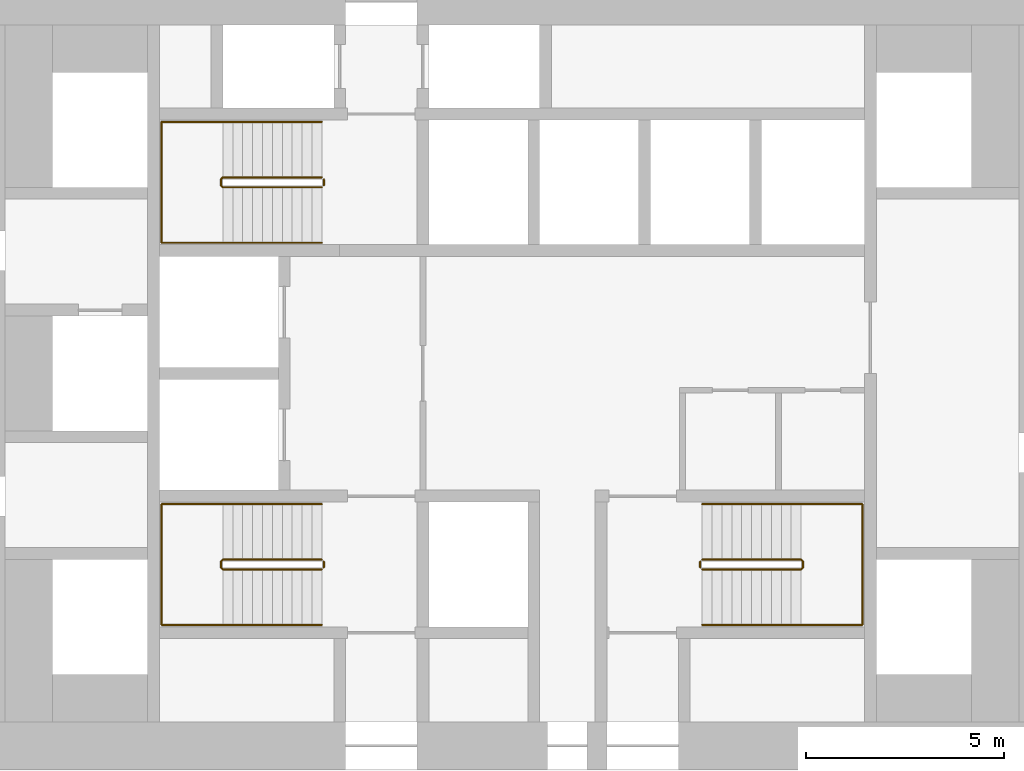
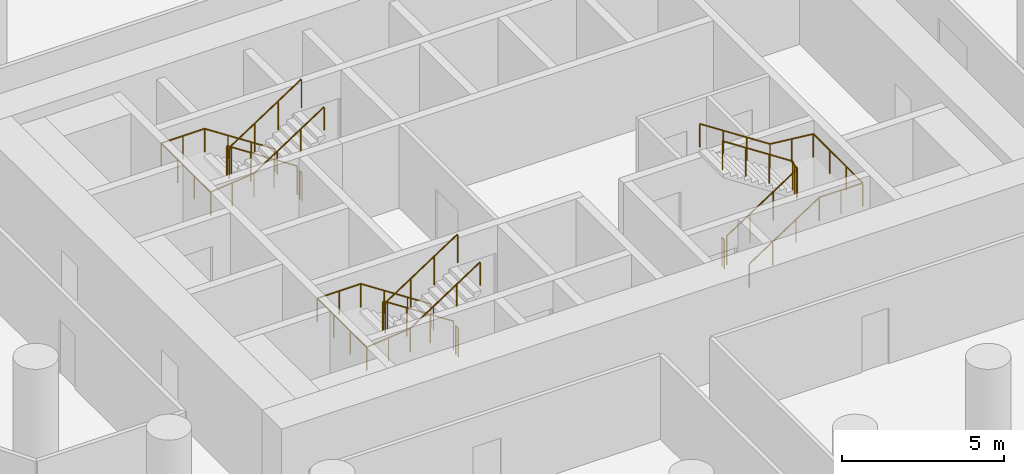
# One storey, part 11 of 11: 9 railings.
"""IFC4 building model written with IfcOpenShell, lengths in metres."""

from ifc_helpers import new_model, si_unit, direction, frame, origin, origin_2d, place, context, subcontext, project, spatial, circle, extrude, material, type_object, element, save


model = new_model("IFC4")

# Units and contexts
model_context = context("Model", 3, precision=1e-05, world=origin(), true_north=direction((0.0, 1.0)))
body_context = subcontext(model_context, "Body", "Model", "MODEL_VIEW")
ifc_project = project(units=[si_unit("LENGTHUNIT", "METRE"), si_unit("AREAUNIT", "SQUARE_METRE"), si_unit("VOLUMEUNIT", "CUBIC_METRE"), si_unit("PLANEANGLEUNIT", "RADIAN"), si_unit("MASSUNIT", "GRAM", prefix="KILO")], contexts=[model_context])

# Site, building, storey
site_placement = place(None, origin())
site = spatial("IfcSite", under=ifc_project, at=site_placement, CompositionType="ELEMENT")
building_placement = place(site_placement, origin())
building = spatial("IfcBuilding", under=site, at=building_placement, Name="Tracery Tower", CompositionType="ELEMENT")
storey_placement = place(building_placement, frame((0.0, 0.0, 96.60009765625)))
storey = spatial("IfcBuildingStorey", under=building, at=storey_placement, Name="L24", CompositionType="ELEMENT", Elevation=96.60009765625)

# Railings
ifc_material_1 = material(Name="Stainless steel and laminated glass", Category="steel")
railing_type_1 = type_object("IfcRailingType", Name="Stair guard 1100", PredefinedType="GUARDRAIL", material=ifc_material_1)
railing_1_placement = place(storey_placement, frame((-4.800048828125, -4.699951171875, 0.16357421875)))
element("IfcRailing", 1, at=railing_1_placement, inside=storey, type_object=railing_type_1, Name="L24 stair ST1 guard 1", PredefinedType="GUARDRAIL", context=body_context, shape_type="SweptSolid", body=[
    extrude(circle(Radius=0.02392578125, at=origin_2d()), frame((0.0, 0.0, 1.076171875), z_axis=(-0.836721939367, 0.0, 0.547627972425), x_axis=(0.0, -1.0, 0.0)), (0.0, 0.0, 1.0), 2.98779296875),
    extrude(circle(Radius=0.02392578125, at=origin_2d()), frame((-2.5, 0.0, 2.71240234375), z_axis=(-0.707106781187, -0.707106781187, 0.0), x_axis=(0.707106781187, -0.707106781187, 0.0)), (0.0, 0.0, 1.0), 0.07080078125),
    extrude(circle(Radius=0.02392578125, at=origin_2d()), frame((-2.550048828125, -0.050048828125, 2.71240234375), z_axis=(0.0, -1.0, 0.0), x_axis=(1.0, 0.0, 0.0)), (0.0, 0.0, 1.0), 0.14990234375),
    extrude(circle(Radius=0.02392578125, at=origin_2d()), frame((-2.550048828125, -0.199951171875, 2.71240234375), z_axis=(0.280456126637, -0.280456126637, 0.917980785237), x_axis=(0.707106781187, 0.707106781187, 0.0)), (0.0, 0.0, 1.0), 0.178466796875),
    extrude(circle(Radius=0.02392578125, at=origin_2d()), frame((-2.5, -0.25, 2.8759765625), z_axis=(0.836721939367, 0.0, 0.547627972425), x_axis=(0.0, 1.0, 0.0)), (0.0, 0.0, 1.0), 2.98779296875),
    extrude(circle(Radius=0.02099609375, at=origin_2d()), origin(), (0.0, 0.0, 1.0), 1.052001953125),
    extrude(circle(Radius=0.02099609375, at=origin_2d()), frame((-0.833251953125, 0.0, 0.54541015625)), (0.0, 0.0, 1.0), 1.052001953125),
    extrude(circle(Radius=0.02099609375, at=origin_2d()), frame((-1.666748046875, 0.0, 1.0908203125)), (0.0, 0.0, 1.0), 1.052001953125),
    extrude(circle(Radius=0.02099609375, at=origin_2d()), frame((-2.5, 0.0, 1.63623046875)), (0.0, 0.0, 1.0), 1.052001953125),
    extrude(circle(Radius=0.02099609375, at=origin_2d()), frame((-2.550048828125, -0.050048828125, 1.63623046875)), (0.0, 0.0, 1.0), 1.052001953125),
    extrude(circle(Radius=0.02099609375, at=origin_2d()), frame((-2.550048828125, -0.199951171875, 1.63623046875)), (0.0, 0.0, 1.0), 1.052001953125),
    extrude(circle(Radius=0.02099609375, at=origin_2d()), frame((-2.5, -0.25, 1.800048828125)), (0.0, 0.0, 1.0), 1.052001953125),
    extrude(circle(Radius=0.02099609375, at=origin_2d()), frame((-1.666748046875, -0.25, 2.345458984375)), (0.0, 0.0, 1.0), 1.052001953125),
    extrude(circle(Radius=0.02099609375, at=origin_2d()), frame((-0.833251953125, -0.25, 2.890869140625)), (0.0, 0.0, 1.0), 1.052001953125),
    extrude(circle(Radius=0.02099609375, at=origin_2d()), frame((0.0, -0.25, 3.436279296875)), (0.0, 0.0, 1.0), 1.052001953125),
])
railing_2_placement = place(storey_placement, frame((-4.75, -4.75, 0.0)))
element("IfcRailing", 2, at=railing_2_placement, inside=storey, type_object=railing_type_1, Name="L24 stair ST1 guard 2", PredefinedType="GUARDRAIL", context=body_context, shape_type="SweptSolid", body=[
    extrude(circle(Radius=0.02392578125, at=origin_2d()), frame((0.0, 0.0, 1.076171875), z_axis=(0.0, -1.0, 0.0), x_axis=(1.0, 0.0, 0.0)), (0.0, 0.0, 1.0), 0.14990234375),
    extrude(circle(Radius=0.02099609375, at=origin_2d()), origin(), (0.0, 0.0, 1.0), 1.052001953125),
    extrude(circle(Radius=0.02099609375, at=origin_2d()), frame((0.0, -0.14990234375, 0.0)), (0.0, 0.0, 1.0), 1.052001953125),
])
railing_3_placement = place(storey_placement, frame((-4.800048828125, 4.949951171875, 0.16357421875)))
element("IfcRailing", 3, at=railing_3_placement, inside=storey, type_object=railing_type_1, Name="L24 stair ST3 guard 1", PredefinedType="GUARDRAIL", context=body_context, shape_type="SweptSolid", body=[
    extrude(circle(Radius=0.02392578125, at=origin_2d()), frame((0.0, 0.0, 1.076171875), z_axis=(-0.836721939367, 0.0, 0.547627972425), x_axis=(0.0, -1.0, 0.0)), (0.0, 0.0, 1.0), 2.98779296875),
    extrude(circle(Radius=0.02392578125, at=origin_2d()), frame((-2.5, 0.0, 2.71240234375), z_axis=(-0.707106781187, -0.707106781187, 0.0), x_axis=(0.707106781187, -0.707106781187, 0.0)), (0.0, 0.0, 1.0), 0.07080078125),
    extrude(circle(Radius=0.02392578125, at=origin_2d()), frame((-2.550048828125, -0.050048828125, 2.71240234375), z_axis=(0.0, -1.0, 0.0), x_axis=(1.0, 0.0, 0.0)), (0.0, 0.0, 1.0), 0.14990234375),
    extrude(circle(Radius=0.02392578125, at=origin_2d()), frame((-2.550048828125, -0.199951171875, 2.71240234375), z_axis=(0.280456126637, -0.280456126637, 0.917980785237), x_axis=(0.707106781187, 0.707106781187, 0.0)), (0.0, 0.0, 1.0), 0.178466796875),
    extrude(circle(Radius=0.02392578125, at=origin_2d()), frame((-2.5, -0.25, 2.8759765625), z_axis=(0.836721939367, 0.0, 0.547627972425), x_axis=(0.0, 1.0, 0.0)), (0.0, 0.0, 1.0), 2.98779296875),
    extrude(circle(Radius=0.02099609375, at=origin_2d()), origin(), (0.0, 0.0, 1.0), 1.052001953125),
    extrude(circle(Radius=0.02099609375, at=origin_2d()), frame((-0.833251953125, 0.0, 0.54541015625)), (0.0, 0.0, 1.0), 1.052001953125),
    extrude(circle(Radius=0.02099609375, at=origin_2d()), frame((-1.666748046875, 0.0, 1.0908203125)), (0.0, 0.0, 1.0), 1.052001953125),
    extrude(circle(Radius=0.02099609375, at=origin_2d()), frame((-2.5, 0.0, 1.63623046875)), (0.0, 0.0, 1.0), 1.052001953125),
    extrude(circle(Radius=0.02099609375, at=origin_2d()), frame((-2.550048828125, -0.050048828125, 1.63623046875)), (0.0, 0.0, 1.0), 1.052001953125),
    extrude(circle(Radius=0.02099609375, at=origin_2d()), frame((-2.550048828125, -0.199951171875, 1.63623046875)), (0.0, 0.0, 1.0), 1.052001953125),
    extrude(circle(Radius=0.02099609375, at=origin_2d()), frame((-2.5, -0.25, 1.800048828125)), (0.0, 0.0, 1.0), 1.052001953125),
    extrude(circle(Radius=0.02099609375, at=origin_2d()), frame((-1.666748046875, -0.25, 2.345458984375)), (0.0, 0.0, 1.0), 1.052001953125),
    extrude(circle(Radius=0.02099609375, at=origin_2d()), frame((-0.833251953125, -0.25, 2.890869140625)), (0.0, 0.0, 1.0), 1.052001953125),
    extrude(circle(Radius=0.02099609375, at=origin_2d()), frame((0.0, -0.25, 3.436279296875)), (0.0, 0.0, 1.0), 1.052001953125),
])
railing_4_placement = place(storey_placement, frame((-4.75, 4.89990234375, 0.0)))
element("IfcRailing", 4, at=railing_4_placement, inside=storey, type_object=railing_type_1, Name="L24 stair ST3 guard 2", PredefinedType="GUARDRAIL", context=body_context, shape_type="SweptSolid", body=[
    extrude(circle(Radius=0.02392578125, at=origin_2d()), frame((0.0, 0.0, 1.076171875), z_axis=(0.0, -1.0, 0.0), x_axis=(1.0, 0.0, 0.0)), (0.0, 0.0, 1.0), 0.14990234375),
    extrude(circle(Radius=0.02099609375, at=origin_2d()), origin(), (0.0, 0.0, 1.0), 1.052001953125),
    extrude(circle(Radius=0.02099609375, at=origin_2d()), frame((0.0, -0.14990234375, 0.0)), (0.0, 0.0, 1.0), 1.052001953125),
])
railing_5_placement = place(storey_placement, frame((4.800048828125, -4.949951171875, 0.16357421875)))
element("IfcRailing", 5, at=railing_5_placement, inside=storey, type_object=railing_type_1, Name="L24 stair ST2 guard 1", PredefinedType="GUARDRAIL", context=body_context, shape_type="SweptSolid", body=[
    extrude(circle(Radius=0.02392578125, at=origin_2d()), frame((0.0, 0.0, 1.076171875), z_axis=(0.836721939367, 0.0, 0.547627972425), x_axis=(0.0, 1.0, 0.0)), (0.0, 0.0, 1.0), 2.98779296875),
    extrude(circle(Radius=0.02392578125, at=origin_2d()), frame((2.5, 0.0, 2.71240234375), z_axis=(0.707106781187, 0.707106781187, 0.0), x_axis=(-0.707106781187, 0.707106781187, 0.0)), (0.0, 0.0, 1.0), 0.07080078125),
    extrude(circle(Radius=0.02392578125, at=origin_2d()), frame((2.550048828125, 0.050048828125, 2.71240234375), z_axis=(0.0, 1.0, 0.0), x_axis=(-1.0, 0.0, 0.0)), (0.0, 0.0, 1.0), 0.14990234375),
    extrude(circle(Radius=0.02392578125, at=origin_2d()), frame((2.550048828125, 0.199951171875, 2.71240234375), z_axis=(-0.280456126637, 0.280456126637, 0.917980785237), x_axis=(-0.707106781187, -0.707106781187, 0.0)), (0.0, 0.0, 1.0), 0.178466796875),
    extrude(circle(Radius=0.02392578125, at=origin_2d()), frame((2.5, 0.25, 2.8759765625), z_axis=(-0.836721939367, 0.0, 0.547627972425), x_axis=(0.0, -1.0, 0.0)), (0.0, 0.0, 1.0), 2.98779296875),
    extrude(circle(Radius=0.02099609375, at=origin_2d()), origin(), (0.0, 0.0, 1.0), 1.052001953125),
    extrude(circle(Radius=0.02099609375, at=origin_2d()), frame((0.833251953125, 0.0, 0.54541015625)), (0.0, 0.0, 1.0), 1.052001953125),
    extrude(circle(Radius=0.02099609375, at=origin_2d()), frame((1.666748046875, 0.0, 1.0908203125)), (0.0, 0.0, 1.0), 1.052001953125),
    extrude(circle(Radius=0.02099609375, at=origin_2d()), frame((2.5, 0.0, 1.63623046875)), (0.0, 0.0, 1.0), 1.052001953125),
    extrude(circle(Radius=0.02099609375, at=origin_2d()), frame((2.550048828125, 0.050048828125, 1.63623046875)), (0.0, 0.0, 1.0), 1.052001953125),
    extrude(circle(Radius=0.02099609375, at=origin_2d()), frame((2.550048828125, 0.199951171875, 1.63623046875)), (0.0, 0.0, 1.0), 1.052001953125),
    extrude(circle(Radius=0.02099609375, at=origin_2d()), frame((2.5, 0.25, 1.800048828125)), (0.0, 0.0, 1.0), 1.052001953125),
    extrude(circle(Radius=0.02099609375, at=origin_2d()), frame((1.666748046875, 0.25, 2.345458984375)), (0.0, 0.0, 1.0), 1.052001953125),
    extrude(circle(Radius=0.02099609375, at=origin_2d()), frame((0.833251953125, 0.25, 2.890869140625)), (0.0, 0.0, 1.0), 1.052001953125),
    extrude(circle(Radius=0.02099609375, at=origin_2d()), frame((0.0, 0.25, 3.436279296875)), (0.0, 0.0, 1.0), 1.052001953125),
])
railing_6_placement = place(storey_placement, frame((4.75, -4.89990234375, 0.0)))
element("IfcRailing", 6, at=railing_6_placement, inside=storey, type_object=railing_type_1, Name="L24 stair ST2 guard 2", PredefinedType="GUARDRAIL", context=body_context, shape_type="SweptSolid", body=[
    extrude(circle(Radius=0.02392578125, at=origin_2d()), frame((0.0, 0.0, 1.076171875), z_axis=(0.0, 1.0, 0.0), x_axis=(-1.0, 0.0, 0.0)), (0.0, 0.0, 1.0), 0.14990234375),
    extrude(circle(Radius=0.02099609375, at=origin_2d()), origin(), (0.0, 0.0, 1.0), 1.052001953125),
    extrude(circle(Radius=0.02099609375, at=origin_2d()), frame((0.0, 0.14990234375, 0.0)), (0.0, 0.0, 1.0), 1.052001953125),
])
ifc_material_2 = material(Name="Stainless steel and laminated glass", Category="steel")
railing_type_2 = type_object("IfcRailingType", Name="Stair handrail 900", PredefinedType="HANDRAIL", material=ifc_material_2)
railing_7_placement = place(storey_placement, frame((-4.800048828125, -3.300048828125, 0.16357421875)))
element("IfcRailing", 7, at=railing_7_placement, inside=storey, type_object=railing_type_2, Name="L24 stair ST1 handrail 1", PredefinedType="HANDRAIL", context=body_context, shape_type="SweptSolid", body=[
    extrude(circle(Radius=0.02392578125, at=origin_2d()), frame((0.0, 0.0, 0.8759765625), z_axis=(-0.836721939367, 0.0, 0.547627972425), x_axis=(0.0, -1.0, 0.0)), (0.0, 0.0, 1.0), 2.98779296875),
    extrude(circle(Radius=0.02392578125, at=origin_2d()), frame((-2.5, 0.0, 2.51220703125), z_axis=(-1.0, 0.0, 0.0), x_axis=(0.0, -1.0, 0.0)), (0.0, 0.0, 1.0), 1.550048828125),
    extrude(circle(Radius=0.02392578125, at=origin_2d()), frame((-4.050048828125, 0.0, 2.51220703125), z_axis=(0.0, -1.0, 0.0), x_axis=(1.0, 0.0, 0.0)), (0.0, 0.0, 1.0), 3.050048828125),
    extrude(circle(Radius=0.02392578125, at=origin_2d()), frame((-4.050048828125, -3.050048828125, 2.51220703125), z_axis=(0.994461594632, 0.0, 0.105100603244), x_axis=(0.0, 1.0, 0.0)), (0.0, 0.0, 1.0), 1.55859375),
    extrude(circle(Radius=0.02392578125, at=origin_2d()), frame((-2.5, -3.050048828125, 2.67578125), z_axis=(0.836721939367, 0.0, 0.547627972425), x_axis=(0.0, 1.0, 0.0)), (0.0, 0.0, 1.0), 2.98779296875),
    extrude(circle(Radius=0.02099609375, at=origin_2d()), origin(), (0.0, 0.0, 1.0), 0.851806640625),
    extrude(circle(Radius=0.02099609375, at=origin_2d()), frame((-0.833251953125, 0.0, 0.54541015625)), (0.0, 0.0, 1.0), 0.851806640625),
    extrude(circle(Radius=0.02099609375, at=origin_2d()), frame((-1.666748046875, 0.0, 1.0908203125)), (0.0, 0.0, 1.0), 0.851806640625),
    extrude(circle(Radius=0.02099609375, at=origin_2d()), frame((-2.5, 0.0, 1.63623046875)), (0.0, 0.0, 1.0), 0.851806640625),
    extrude(circle(Radius=0.02099609375, at=origin_2d()), frame((-3.27490234375, 0.0, 1.63623046875)), (0.0, 0.0, 1.0), 0.851806640625),
    extrude(circle(Radius=0.02099609375, at=origin_2d()), frame((-4.050048828125, 0.0, 1.63623046875)), (0.0, 0.0, 1.0), 0.851806640625),
    extrude(circle(Radius=0.02099609375, at=origin_2d()), frame((-4.050048828125, -1.0166015625, 1.63623046875)), (0.0, 0.0, 1.0), 0.851806640625),
    extrude(circle(Radius=0.02099609375, at=origin_2d()), frame((-4.050048828125, -2.033447265625, 1.63623046875)), (0.0, 0.0, 1.0), 0.851806640625),
    extrude(circle(Radius=0.02099609375, at=origin_2d()), frame((-4.050048828125, -3.050048828125, 1.63623046875)), (0.0, 0.0, 1.0), 0.851806640625),
    extrude(circle(Radius=0.02099609375, at=origin_2d()), frame((-3.27490234375, -3.050048828125, 1.71826171875)), (0.0, 0.0, 1.0), 0.851806640625),
    extrude(circle(Radius=0.02099609375, at=origin_2d()), frame((-2.5, -3.050048828125, 1.800048828125)), (0.0, 0.0, 1.0), 0.851806640625),
    extrude(circle(Radius=0.02099609375, at=origin_2d()), frame((-1.666748046875, -3.050048828125, 2.345458984375)), (0.0, 0.0, 1.0), 0.851806640625),
    extrude(circle(Radius=0.02099609375, at=origin_2d()), frame((-0.833251953125, -3.050048828125, 2.890869140625)), (0.0, 0.0, 1.0), 0.851806640625),
    extrude(circle(Radius=0.02099609375, at=origin_2d()), frame((0.0, -3.050048828125, 3.436279296875)), (0.0, 0.0, 1.0), 0.851806640625),
])
railing_8_placement = place(storey_placement, frame((-4.800048828125, 6.35009765625, 0.16357421875)))
element("IfcRailing", 8, at=railing_8_placement, inside=storey, type_object=railing_type_2, Name="L24 stair ST3 handrail 1", PredefinedType="HANDRAIL", context=body_context, shape_type="SweptSolid", body=[
    extrude(circle(Radius=0.02392578125, at=origin_2d()), frame((0.0, 0.0, 0.8759765625), z_axis=(-0.836721939367, 0.0, 0.547627972425), x_axis=(0.0, -1.0, 0.0)), (0.0, 0.0, 1.0), 2.98779296875),
    extrude(circle(Radius=0.02392578125, at=origin_2d()), frame((-2.5, 0.0, 2.51220703125), z_axis=(-1.0, 0.0, 0.0), x_axis=(0.0, -1.0, 0.0)), (0.0, 0.0, 1.0), 1.550048828125),
    extrude(circle(Radius=0.02392578125, at=origin_2d()), frame((-4.050048828125, 0.0, 2.51220703125), z_axis=(0.0, -1.0, 0.0), x_axis=(1.0, 0.0, 0.0)), (0.0, 0.0, 1.0), 3.050048828125),
    extrude(circle(Radius=0.02392578125, at=origin_2d()), frame((-4.050048828125, -3.050048828125, 2.51220703125), z_axis=(0.994461594632, 0.0, 0.105100603244), x_axis=(0.0, 1.0, 0.0)), (0.0, 0.0, 1.0), 1.55859375),
    extrude(circle(Radius=0.02392578125, at=origin_2d()), frame((-2.5, -3.050048828125, 2.67578125), z_axis=(0.836721939367, 0.0, 0.547627972425), x_axis=(0.0, 1.0, 0.0)), (0.0, 0.0, 1.0), 2.98779296875),
    extrude(circle(Radius=0.02099609375, at=origin_2d()), origin(), (0.0, 0.0, 1.0), 0.851806640625),
    extrude(circle(Radius=0.02099609375, at=origin_2d()), frame((-0.833251953125, 0.0, 0.54541015625)), (0.0, 0.0, 1.0), 0.851806640625),
    extrude(circle(Radius=0.02099609375, at=origin_2d()), frame((-1.666748046875, 0.0, 1.0908203125)), (0.0, 0.0, 1.0), 0.851806640625),
    extrude(circle(Radius=0.02099609375, at=origin_2d()), frame((-2.5, 0.0, 1.63623046875)), (0.0, 0.0, 1.0), 0.851806640625),
    extrude(circle(Radius=0.02099609375, at=origin_2d()), frame((-3.27490234375, 0.0, 1.63623046875)), (0.0, 0.0, 1.0), 0.851806640625),
    extrude(circle(Radius=0.02099609375, at=origin_2d()), frame((-4.050048828125, 0.0, 1.63623046875)), (0.0, 0.0, 1.0), 0.851806640625),
    extrude(circle(Radius=0.02099609375, at=origin_2d()), frame((-4.050048828125, -1.0166015625, 1.63623046875)), (0.0, 0.0, 1.0), 0.851806640625),
    extrude(circle(Radius=0.02099609375, at=origin_2d()), frame((-4.050048828125, -2.033447265625, 1.63623046875)), (0.0, 0.0, 1.0), 0.851806640625),
    extrude(circle(Radius=0.02099609375, at=origin_2d()), frame((-4.050048828125, -3.050048828125, 1.63623046875)), (0.0, 0.0, 1.0), 0.851806640625),
    extrude(circle(Radius=0.02099609375, at=origin_2d()), frame((-3.27490234375, -3.050048828125, 1.71826171875)), (0.0, 0.0, 1.0), 0.851806640625),
    extrude(circle(Radius=0.02099609375, at=origin_2d()), frame((-2.5, -3.050048828125, 1.800048828125)), (0.0, 0.0, 1.0), 0.851806640625),
    extrude(circle(Radius=0.02099609375, at=origin_2d()), frame((-1.666748046875, -3.050048828125, 2.345458984375)), (0.0, 0.0, 1.0), 0.851806640625),
    extrude(circle(Radius=0.02099609375, at=origin_2d()), frame((-0.833251953125, -3.050048828125, 2.890869140625)), (0.0, 0.0, 1.0), 0.851806640625),
    extrude(circle(Radius=0.02099609375, at=origin_2d()), frame((0.0, -3.050048828125, 3.436279296875)), (0.0, 0.0, 1.0), 0.851806640625),
])
railing_9_placement = place(storey_placement, frame((4.800048828125, -6.35009765625, 0.16357421875)))
element("IfcRailing", 9, at=railing_9_placement, inside=storey, type_object=railing_type_2, Name="L24 stair ST2 handrail 1", PredefinedType="HANDRAIL", context=body_context, shape_type="SweptSolid", body=[
    extrude(circle(Radius=0.02392578125, at=origin_2d()), frame((0.0, 0.0, 0.8759765625), z_axis=(0.836721939367, 0.0, 0.547627972425), x_axis=(0.0, 1.0, 0.0)), (0.0, 0.0, 1.0), 2.98779296875),
    extrude(circle(Radius=0.02392578125, at=origin_2d()), frame((2.5, 0.0, 2.51220703125), z_axis=(1.0, 0.0, 0.0), x_axis=(0.0, 1.0, 0.0)), (0.0, 0.0, 1.0), 1.550048828125),
    extrude(circle(Radius=0.02392578125, at=origin_2d()), frame((4.050048828125, 0.0, 2.51220703125), z_axis=(0.0, 1.0, 0.0), x_axis=(-1.0, 0.0, 0.0)), (0.0, 0.0, 1.0), 3.050048828125),
    extrude(circle(Radius=0.02392578125, at=origin_2d()), frame((4.050048828125, 3.050048828125, 2.51220703125), z_axis=(-0.994461594632, 0.0, 0.105100603244), x_axis=(0.0, -1.0, 0.0)), (0.0, 0.0, 1.0), 1.55859375),
    extrude(circle(Radius=0.02392578125, at=origin_2d()), frame((2.5, 3.050048828125, 2.67578125), z_axis=(-0.836721939367, 0.0, 0.547627972425), x_axis=(0.0, -1.0, 0.0)), (0.0, 0.0, 1.0), 2.98779296875),
    extrude(circle(Radius=0.02099609375, at=origin_2d()), origin(), (0.0, 0.0, 1.0), 0.851806640625),
    extrude(circle(Radius=0.02099609375, at=origin_2d()), frame((0.833251953125, 0.0, 0.54541015625)), (0.0, 0.0, 1.0), 0.851806640625),
    extrude(circle(Radius=0.02099609375, at=origin_2d()), frame((1.666748046875, 0.0, 1.0908203125)), (0.0, 0.0, 1.0), 0.851806640625),
    extrude(circle(Radius=0.02099609375, at=origin_2d()), frame((2.5, 0.0, 1.63623046875)), (0.0, 0.0, 1.0), 0.851806640625),
    extrude(circle(Radius=0.02099609375, at=origin_2d()), frame((3.27490234375, 0.0, 1.63623046875)), (0.0, 0.0, 1.0), 0.851806640625),
    extrude(circle(Radius=0.02099609375, at=origin_2d()), frame((4.050048828125, 0.0, 1.63623046875)), (0.0, 0.0, 1.0), 0.851806640625),
    extrude(circle(Radius=0.02099609375, at=origin_2d()), frame((4.050048828125, 1.0166015625, 1.63623046875)), (0.0, 0.0, 1.0), 0.851806640625),
    extrude(circle(Radius=0.02099609375, at=origin_2d()), frame((4.050048828125, 2.033447265625, 1.63623046875)), (0.0, 0.0, 1.0), 0.851806640625),
    extrude(circle(Radius=0.02099609375, at=origin_2d()), frame((4.050048828125, 3.050048828125, 1.63623046875)), (0.0, 0.0, 1.0), 0.851806640625),
    extrude(circle(Radius=0.02099609375, at=origin_2d()), frame((3.27490234375, 3.050048828125, 1.71826171875)), (0.0, 0.0, 1.0), 0.851806640625),
    extrude(circle(Radius=0.02099609375, at=origin_2d()), frame((2.5, 3.050048828125, 1.800048828125)), (0.0, 0.0, 1.0), 0.851806640625),
    extrude(circle(Radius=0.02099609375, at=origin_2d()), frame((1.666748046875, 3.050048828125, 2.345458984375)), (0.0, 0.0, 1.0), 0.851806640625),
    extrude(circle(Radius=0.02099609375, at=origin_2d()), frame((0.833251953125, 3.050048828125, 2.890869140625)), (0.0, 0.0, 1.0), 0.851806640625),
    extrude(circle(Radius=0.02099609375, at=origin_2d()), frame((0.0, 3.050048828125, 3.436279296875)), (0.0, 0.0, 1.0), 0.851806640625),
])

save(model, "model.ifc")
